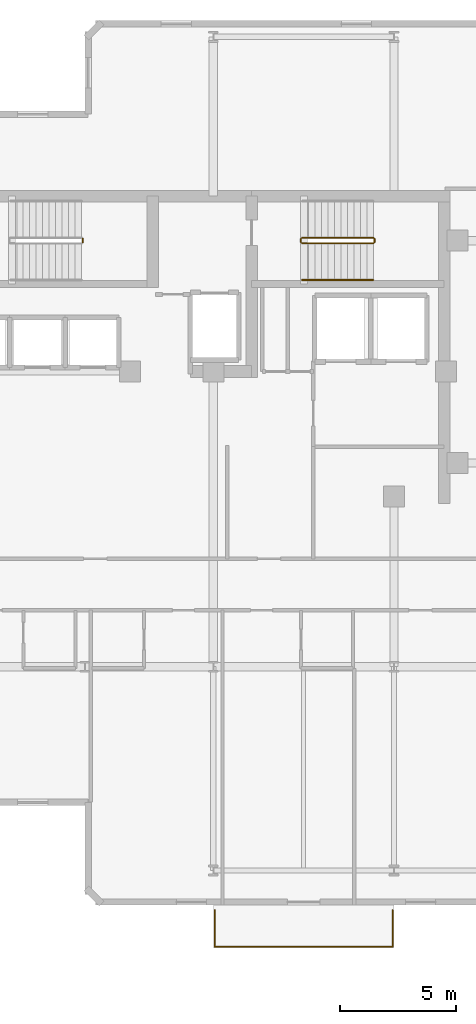
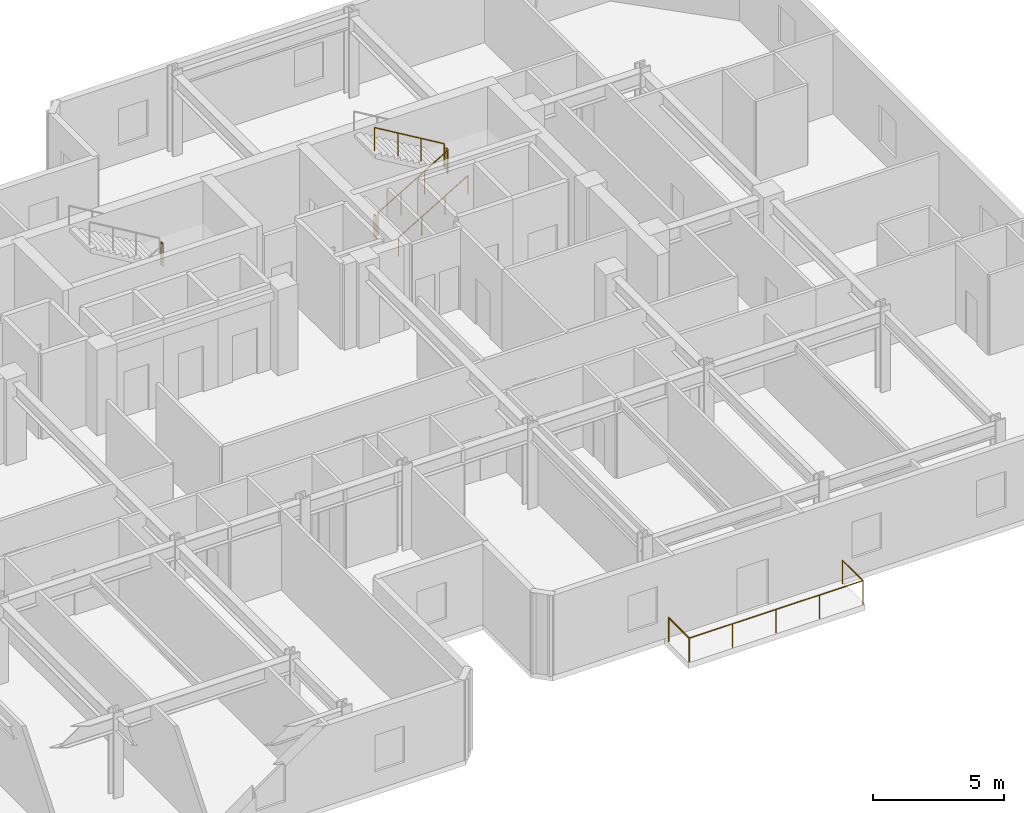
# One storey, part 10 of 11: 8 railings.
"""IFC4 building model written with IfcOpenShell, lengths in metres."""

from ifc_helpers import new_model, si_unit, direction, frame, origin, origin_2d, place, context, subcontext, project, spatial, circle, extrude, material, type_object, element, save


model = new_model("IFC4")

# Units and contexts
model_context = context("Model", 3, precision=1e-05, world=origin(), true_north=direction((0.0, 1.0)))
body_context = subcontext(model_context, "Body", "Model", "MODEL_VIEW")
ifc_project = project(units=[si_unit("LENGTHUNIT", "METRE"), si_unit("AREAUNIT", "SQUARE_METRE"), si_unit("VOLUMEUNIT", "CUBIC_METRE"), si_unit("PLANEANGLEUNIT", "RADIAN"), si_unit("MASSUNIT", "GRAM", prefix="KILO")], contexts=[model_context])

# Site, building, storey
site_placement = place(None, origin())
site = spatial("IfcSite", under=ifc_project, at=site_placement, CompositionType="ELEMENT")
building_placement = place(site_placement, origin())
building = spatial("IfcBuilding", under=site, at=building_placement, Name="Kestravale Grand Hotel", CompositionType="ELEMENT")
storey_placement = place(building_placement, frame((0.0, 0.0, 289.39990234375)))
storey = spatial("IfcBuildingStorey", under=building, at=storey_placement, Name="L72", CompositionType="ELEMENT", Elevation=289.39990234375)

# Railings
ifc_material_1 = material(Name="Champagne-bronze stainless steel and laminated glass guard", Category="steel")
railing_type_1 = type_object("IfcRailingType", Name="RL-EXT-1100", PredefinedType="GUARDRAIL", material=ifc_material_1)
railing_1_placement = place(storey_placement, frame((46.860107421875, 7.909912109375, 0.0)))
element("IfcRailing", 1, at=railing_1_placement, inside=storey, type_object=railing_type_1, Name="L72 outdoor terrace guard 1", PredefinedType="GUARDRAIL", context=body_context, shape_type="SweptSolid", body=[
    extrude(circle(Radius=0.02392578125, at=origin_2d()), frame((0.0, 0.0, 1.09619140625), z_axis=(0.0, 1.0, 0.0), x_axis=(-1.0, 0.0, 0.0)), (0.0, 0.0, 1.0), 1.570068359375),
    extrude(circle(Radius=0.02099609375, at=origin_2d()), origin(), (0.0, 0.0, 1.0), 1.072021484375),
    extrude(circle(Radius=0.02099609375, at=origin_2d()), frame((0.0, 1.570068359375, 0.0)), (0.0, 0.0, 1.0), 1.072021484375),
])
railing_2_placement = place(storey_placement, frame((54.5400390625, 9.47998046875, 0.0)))
element("IfcRailing", 2, at=railing_2_placement, inside=storey, type_object=railing_type_1, Name="L72 outdoor terrace guard 2", PredefinedType="GUARDRAIL", context=body_context, shape_type="SweptSolid", body=[
    extrude(circle(Radius=0.02392578125, at=origin_2d()), frame((0.0, 0.0, 1.09619140625), z_axis=(0.0, -1.0, 0.0), x_axis=(1.0, 0.0, 0.0)), (0.0, 0.0, 1.0), 1.570068359375),
    extrude(circle(Radius=0.02392578125, at=origin_2d()), frame((0.0, -1.570068359375, 1.09619140625), z_axis=(-1.0, 0.0, 0.0), x_axis=(0.0, -1.0, 0.0)), (0.0, 0.0, 1.0), 7.679931640625),
    extrude(circle(Radius=0.02099609375, at=origin_2d()), origin(), (0.0, 0.0, 1.0), 1.072021484375),
    extrude(circle(Radius=0.02099609375, at=origin_2d()), frame((0.0, -1.570068359375, 0.0)), (0.0, 0.0, 1.0), 1.072021484375),
    extrude(circle(Radius=0.02099609375, at=origin_2d()), frame((-1.919921875, -1.570068359375, 0.0)), (0.0, 0.0, 1.0), 1.072021484375),
    extrude(circle(Radius=0.02099609375, at=origin_2d()), frame((-3.83984375, -1.570068359375, 0.0)), (0.0, 0.0, 1.0), 1.072021484375),
    extrude(circle(Radius=0.02099609375, at=origin_2d()), frame((-5.760009765625, -1.570068359375, 0.0)), (0.0, 0.0, 1.0), 1.072021484375),
    extrude(circle(Radius=0.02099609375, at=origin_2d()), frame((-7.679931640625, -1.570068359375, 0.0)), (0.0, 0.0, 1.0), 1.072021484375),
])
ifc_material_2 = material(Name="Painted tubular steel stair well guard", Category="steel")
railing_type_2 = type_object("IfcRailingType", Name="RL-ST-GRD1100", PredefinedType="GUARDRAIL", material=ifc_material_2)
railing_3_placement = place(storey_placement, frame((41.159912109375, 38.330078125, 2.0)))
element("IfcRailing", 3, at=railing_3_placement, inside=storey, type_object=railing_type_2, Name="L72 ST-2 stair guard 2", PredefinedType="GUARDRAIL", context=body_context, shape_type="SweptSolid", body=[
    extrude(circle(Radius=0.02392578125, at=origin_2d()), frame((0.0, 0.0, 1.076171875), z_axis=(0.0, 1.0, 0.0), x_axis=(-1.0, 0.0, 0.0)), (0.0, 0.0, 1.0), 0.14990234375),
    extrude(circle(Radius=0.02099609375, at=origin_2d()), origin(), (0.0, 0.0, 1.0), 1.052001953125),
    extrude(circle(Radius=0.02099609375, at=origin_2d()), frame((0.0, 0.14990234375, 0.0)), (0.0, 0.0, 1.0), 1.052001953125),
])
railing_4_placement = place(storey_placement, frame((50.6298828125, 38.280029296875, 0.166748046875)))
element("IfcRailing", 4, at=railing_4_placement, inside=storey, type_object=railing_type_2, Name="L72 ST-3 stair guard 1", PredefinedType="GUARDRAIL", context=body_context, shape_type="SweptSolid", body=[
    extrude(circle(Radius=0.02392578125, at=origin_2d()), frame((0.0, 0.0, 1.076171875), z_axis=(0.859308565015, 0.0, 0.511457515432), x_axis=(0.0, 1.0, 0.0)), (0.0, 0.0, 1.0), 3.58447265625),
    extrude(circle(Radius=0.02099609375, at=origin_2d()), origin(), (0.0, 0.0, 1.0), 1.052001953125),
    extrude(circle(Radius=0.02099609375, at=origin_2d()), frame((1.026611328125, 0.0, 0.611083984375)), (0.0, 0.0, 1.0), 1.052001953125),
    extrude(circle(Radius=0.02099609375, at=origin_2d()), frame((2.053466796875, 0.0, 1.22216796875)), (0.0, 0.0, 1.0), 1.052001953125),
    extrude(circle(Radius=0.02099609375, at=origin_2d()), frame((3.080078125, 0.0, 1.833251953125)), (0.0, 0.0, 1.0), 1.052001953125),
])
railing_5_placement = place(storey_placement, frame((53.760009765625, 38.330078125, 2.0)))
element("IfcRailing", 5, at=railing_5_placement, inside=storey, type_object=railing_type_2, Name="L72 ST-3 stair guard 2", PredefinedType="GUARDRAIL", context=body_context, shape_type="SweptSolid", body=[
    extrude(circle(Radius=0.02392578125, at=origin_2d()), frame((0.0, 0.0, 1.076171875), z_axis=(0.0, 1.0, 0.0), x_axis=(-1.0, 0.0, 0.0)), (0.0, 0.0, 1.0), 0.14990234375),
    extrude(circle(Radius=0.02099609375, at=origin_2d()), origin(), (0.0, 0.0, 1.0), 1.052001953125),
    extrude(circle(Radius=0.02099609375, at=origin_2d()), frame((0.0, 0.14990234375, 0.0)), (0.0, 0.0, 1.0), 1.052001953125),
])
railing_6_placement = place(storey_placement, frame((53.7099609375, 38.530029296875, 2.166748046875)))
element("IfcRailing", 6, at=railing_6_placement, inside=storey, type_object=railing_type_2, Name="L72 ST-3 stair guard 3", PredefinedType="GUARDRAIL", context=body_context, shape_type="SweptSolid", body=[
    extrude(circle(Radius=0.02392578125, at=origin_2d()), frame((0.0, 0.0, 1.076171875), z_axis=(-0.859308565015, 0.0, 0.511457515432), x_axis=(0.0, -1.0, 0.0)), (0.0, 0.0, 1.0), 3.58447265625),
    extrude(circle(Radius=0.02099609375, at=origin_2d()), origin(), (0.0, 0.0, 1.0), 1.052001953125),
    extrude(circle(Radius=0.02099609375, at=origin_2d()), frame((-1.026611328125, 0.0, 0.611083984375)), (0.0, 0.0, 1.0), 1.052001953125),
    extrude(circle(Radius=0.02099609375, at=origin_2d()), frame((-2.053466796875, 0.0, 1.22216796875)), (0.0, 0.0, 1.0), 1.052001953125),
    extrude(circle(Radius=0.02099609375, at=origin_2d()), frame((-3.080078125, 0.0, 1.833251953125)), (0.0, 0.0, 1.0), 1.052001953125),
])
railing_7_placement = place(storey_placement, frame((50.580078125, 38.330078125, 0.0)))
element("IfcRailing", 7, at=railing_7_placement, inside=storey, type_object=railing_type_2, Name="L72 ST-3 stair guard 4", PredefinedType="GUARDRAIL", context=body_context, shape_type="SweptSolid", body=[
    extrude(circle(Radius=0.02392578125, at=origin_2d()), frame((0.0, 0.0, 1.076171875), z_axis=(0.0, 1.0, 0.0), x_axis=(-1.0, 0.0, 0.0)), (0.0, 0.0, 1.0), 0.14990234375),
    extrude(circle(Radius=0.02099609375, at=origin_2d()), origin(), (0.0, 0.0, 1.0), 1.052001953125),
    extrude(circle(Radius=0.02099609375, at=origin_2d()), frame((0.0, 0.14990234375, 0.0)), (0.0, 0.0, 1.0), 1.052001953125),
])
ifc_material_3 = material(Name="Brushed stainless steel wall handrail", Category="steel")
railing_type_3 = type_object("IfcRailingType", Name="RL-ST-HND900", PredefinedType="HANDRAIL", material=ifc_material_3)
railing_8_placement = place(storey_placement, frame((50.6298828125, 36.699951171875, 0.166748046875)))
element("IfcRailing", 8, at=railing_8_placement, inside=storey, type_object=railing_type_3, Name="L72 ST-3 stair handrail 1", PredefinedType="HANDRAIL", context=body_context, shape_type="SweptSolid", body=[
    extrude(circle(Radius=0.02392578125, at=origin_2d()), frame((0.0, 0.0, 0.8759765625), z_axis=(0.859308565015, 0.0, 0.511457515432), x_axis=(0.0, 1.0, 0.0)), (0.0, 0.0, 1.0), 3.58447265625),
    extrude(circle(Radius=0.02099609375, at=origin_2d()), origin(), (0.0, 0.0, 1.0), 0.851806640625),
    extrude(circle(Radius=0.02099609375, at=origin_2d()), frame((1.026611328125, 0.0, 0.611083984375)), (0.0, 0.0, 1.0), 0.851806640625),
    extrude(circle(Radius=0.02099609375, at=origin_2d()), frame((2.053466796875, 0.0, 1.22216796875)), (0.0, 0.0, 1.0), 0.851806640625),
    extrude(circle(Radius=0.02099609375, at=origin_2d()), frame((3.080078125, 0.0, 1.833251953125)), (0.0, 0.0, 1.0), 0.851806640625),
])

save(model, "model.ifc")
